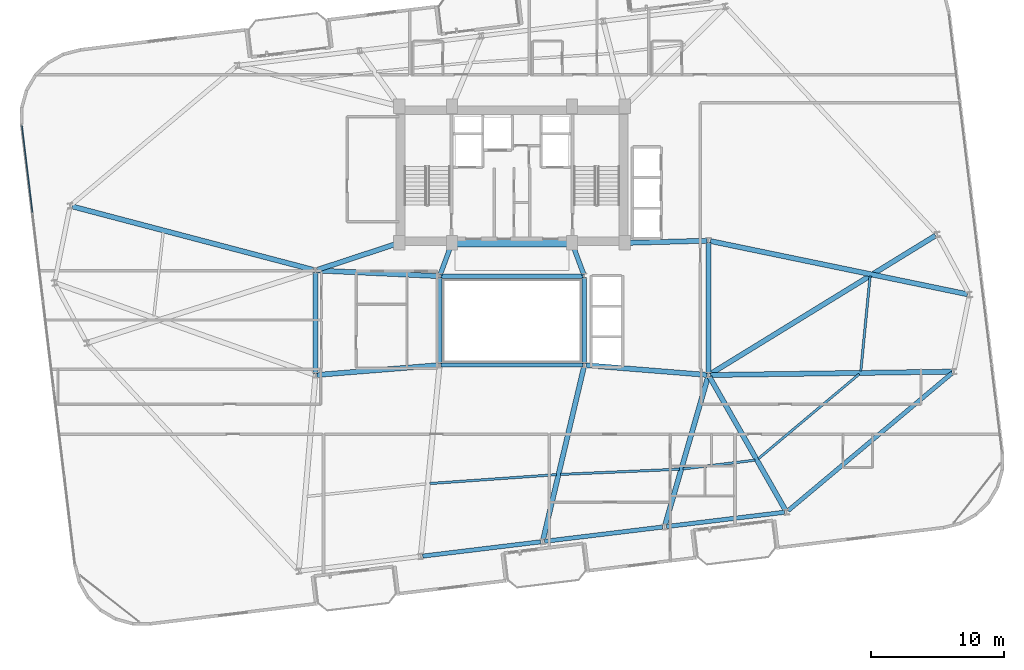
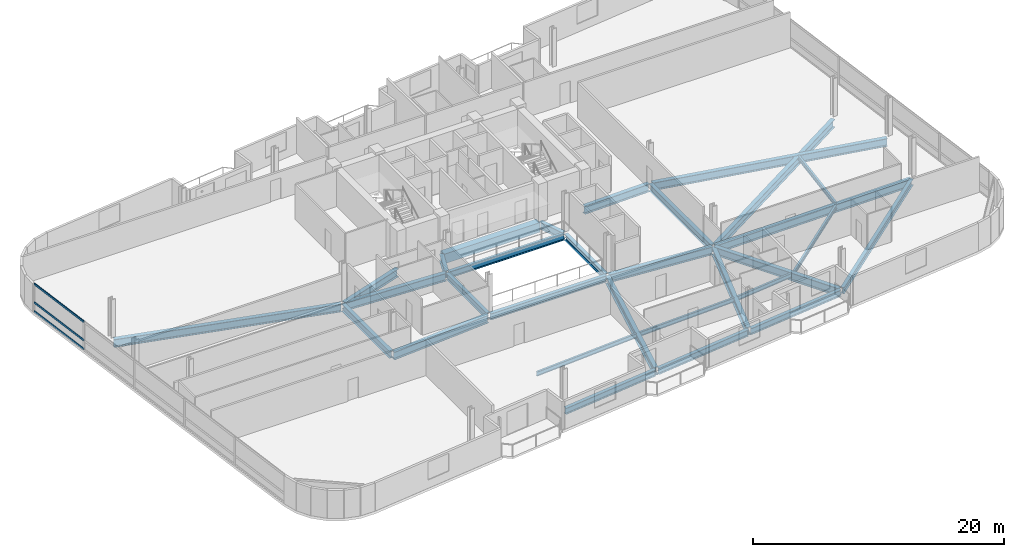
# One storey, part 7 of 23: 30 beams, 3 members, 1 element without a shape of its own.
"""IFC4 building model written with IfcOpenShell, lengths in metres."""

from ifc_helpers import new_model, si_unit, direction, frame, origin, origin_2d, place, context, subcontext, project, spatial, rectangle, hollow_rectangle, i_section, extrude, material, layer, layer_set, material_profile, profile_set, type_object, element, aggregate, save


model = new_model("IFC4")

# Units and contexts
model_context = context("Model", 3, precision=1e-05, world=origin(), true_north=direction((0.0, 1.0)))
body_context = subcontext(model_context, "Body", "Model", "MODEL_VIEW")
ifc_project = project(units=[si_unit("LENGTHUNIT", "METRE"), si_unit("AREAUNIT", "SQUARE_METRE"), si_unit("VOLUMEUNIT", "CUBIC_METRE"), si_unit("PLANEANGLEUNIT", "RADIAN"), si_unit("MASSUNIT", "GRAM", prefix="KILO")], contexts=[model_context])

# Site, building, storey
site_placement = place(None, origin())
site = spatial("IfcSite", under=ifc_project, at=site_placement, CompositionType="ELEMENT")
building_placement = place(site_placement, origin())
building = spatial("IfcBuilding", under=site, at=building_placement, Name="Varnelok Gate Tower", CompositionType="ELEMENT")
storey_placement = place(building_placement, frame((0.0, 0.0, 182.0)))
storey = spatial("IfcBuildingStorey", under=building, at=storey_placement, Name="L46", CompositionType="ELEMENT", Elevation=182.0)

# Beams
ifc_material_1 = material(Name="Structural Steel ASTM A992 Grade 50", Category="steel")
ifc_material_profile_1 = material_profile(ifc_material_1, i_section(OverallWidth=0.180908203125, OverallDepth=0.4169921875, WebThickness=0.010986328125, FlangeThickness=0.018310546875, FilletRadius=0.013916015625, at=origin_2d()), Name="W16X57")
ifc_profile_set_1 = profile_set([ifc_material_profile_1], Name="Structural Steel ASTM A992 Grade 50")
beam_type_1 = type_object("IfcBeamType", Name="BM-JST-W16X57", PredefinedType="JOIST", material=ifc_profile_set_1)
beam_1_placement = place(storey_placement, frame((33.00634765625, 10.62939453125, -0.45849609375), z_axis=(0.997546417642, 0.070008175598, 0.0), x_axis=(-0.070008175598, 0.997546417642, 0.0)))
element("IfcBeam", 1, at=beam_1_placement, inside=storey, type_object=beam_type_1, Name="L46 Sector Floor Joist 2", PredefinedType="JOIST", context=body_context, shape_type="SweptSolid", body=[
    extrude(i_section(OverallWidth=0.180908203125, OverallDepth=0.4169921875, WebThickness=0.010986328125, FlangeThickness=0.018310546875, FilletRadius=0.013916015625, at=origin_2d()), origin(), (0.0, 0.0, 1.0), 9.57958984375),
])
beam_2_placement = place(storey_placement, frame((42.841796875, 11.31591796875, -0.45849609375), z_axis=(0.99904059528, 0.043793709388, 0.0), x_axis=(-0.043793709388, 0.99904059528, 0.0)))
element("IfcBeam", 2, at=beam_2_placement, inside=storey, type_object=beam_type_1, Name="L46 Sector Floor Joist 3", PredefinedType="JOIST", context=body_context, shape_type="SweptSolid", body=[
    extrude(i_section(OverallWidth=0.180908203125, OverallDepth=0.4169921875, WebThickness=0.010986328125, FlangeThickness=0.018310546875, FilletRadius=0.013916015625, at=origin_2d()), origin(), (0.0, 0.0, 1.0), 8.975341796875),
])
beam_3_placement = place(storey_placement, frame((52.08740234375, 11.73193359375, -0.45849609375), z_axis=(0.992737021941, 0.120304635272, 0.0), x_axis=(-0.120304635272, 0.992737021941, 0.0)))
element("IfcBeam", 3, at=beam_3_placement, inside=storey, type_object=beam_type_1, Name="L46 Sector Floor Joist 4", PredefinedType="JOIST", context=body_context, shape_type="SweptSolid", body=[
    extrude(i_section(OverallWidth=0.180908203125, OverallDepth=0.4169921875, WebThickness=0.010986328125, FlangeThickness=0.018310546875, FilletRadius=0.013916015625, at=origin_2d()), origin(), (0.0, 0.0, 1.0), 5.454833984375),
])
beam_4_placement = place(storey_placement, frame((57.7490234375, 12.4951171875, -0.45849609375), z_axis=(0.76608872643, 0.642734831199, 0.0), x_axis=(-0.642734831199, 0.76608872643, 0.0)))
element("IfcBeam", 4, at=beam_4_placement, inside=storey, type_object=beam_type_1, Name="L46 Sector Floor Joist 5", PredefinedType="JOIST", context=body_context, shape_type="SweptSolid", body=[
    extrude(i_section(OverallWidth=0.180908203125, OverallDepth=0.4169921875, WebThickness=0.010986328125, FlangeThickness=0.018310546875, FilletRadius=0.013916015625, at=origin_2d()), origin(), (0.0, 0.0, 1.0), 9.919677734375),
])
beam_5_placement = place(storey_placement, frame((65.469482421875, 19.10009765625, -0.45849609375), z_axis=(0.097641950853, 0.995221608203, 0.0), x_axis=(-0.995221608203, 0.097641950853, 0.0)))
element("IfcBeam", 5, at=beam_5_placement, inside=storey, type_object=beam_type_1, Name="L46 Sector Floor Joist 6", PredefinedType="JOIST", context=body_context, shape_type="SweptSolid", body=[
    extrude(i_section(OverallWidth=0.180908203125, OverallDepth=0.4169921875, WebThickness=0.010986328125, FlangeThickness=0.018310546875, FilletRadius=0.013916015625, at=origin_2d()), origin(), (0.0, 0.0, 1.0), 7.193603515625),
])
ifc_material_2 = material(Name="Concrete C60/75", Category="concrete")
ifc_material_profile_2 = material_profile(ifc_material_2, rectangle(XDim=0.60009765625, YDim=0.949951171875, at=origin_2d()), Name="RC950X600")
ifc_profile_set_2 = profile_set([ifc_material_profile_2], Name="Concrete C60/75")
beam_type_2 = type_object("IfcBeamType", Name="BM-LNT-RC950", PredefinedType="LINTEL", material=ifc_profile_set_2)
beam_6_placement = place(storey_placement, frame((34.800048828125, 28.75, -0.72509765625), z_axis=(1.0, 0.0, 0.0), x_axis=(0.0, 1.0, 0.0)))
element("IfcBeam", 6, at=beam_6_placement, inside=storey, type_object=beam_type_2, Name="L46 Core-Atrium Spine Beam 7", PredefinedType="LINTEL", context=body_context, shape_type="SweptSolid", body=[
    extrude(rectangle(XDim=0.60009765625, YDim=0.949951171875, at=origin_2d()), origin(), (0.0, 0.0, 1.0), 8.800048828125),
])
ifc_material_profile_3 = material_profile(ifc_material_1, i_section(OverallWidth=0.35498046875, OverallDepth=0.696044921875, WebThickness=0.015380859375, FlangeThickness=0.02490234375, FilletRadius=0.02001953125, at=origin_2d()), Name="W27X146")
ifc_profile_set_3 = profile_set([ifc_material_profile_3], Name="Structural Steel ASTM A992 Grade 50")
beam_type_3 = type_object("IfcBeamType", Name="BM-PRI-W27X146", PredefinedType="BEAM", material=ifc_profile_set_3)
for number, where, z_axis, x_axis, name in (
    (7, (33.791748046875, 26.362548828125, -0.597900390625), (0.348719329408, 0.937227202602, 0.0), (-0.937227202602, 0.348719329408, 0.0), "L46 Core-Atrium Spine Beam 12"),
    (8, (44.608154296875, 26.362548828125, -0.597900390625), (-0.348719329408, 0.937227202602, 0.0), (-0.937227202602, -0.348719329408, 0.0), "L46 Core-Atrium Spine Beam 13"),
):
    element("IfcBeam", number, at=place(storey_placement, frame(where, z_axis=z_axis, x_axis=x_axis)), inside=storey, type_object=beam_type_3, Name=name, PredefinedType="BEAM", context=body_context, shape_type="SweptSolid", body=[
        extrude(i_section(OverallWidth=0.35498046875, OverallDepth=0.696044921875, WebThickness=0.015380859375, FlangeThickness=0.02490234375, FilletRadius=0.02001953125, at=origin_2d()), origin(), (0.0, 0.0, 1.0), 2.42724609375),
    ])
beam_7_placement = place(storey_placement, frame((24.39990234375, 18.919921875, -0.597900390625), z_axis=(0.0, 1.0, 0.0), x_axis=(-1.0, 0.0, 0.0)))
element("IfcBeam", 9, at=beam_7_placement, inside=storey, type_object=beam_type_3, Name="L46 Core-Atrium Spine Beam 16", PredefinedType="BEAM", context=body_context, shape_type="SweptSolid", body=[
    extrude(i_section(OverallWidth=0.35498046875, OverallDepth=0.696044921875, WebThickness=0.015380859375, FlangeThickness=0.02490234375, FilletRadius=0.02001953125, at=origin_2d()), origin(), (0.0, 0.0, 1.0), 7.64013671875),
])
beam_8_placement = place(storey_placement, frame((54.0, 18.919921875, -0.597900390625), z_axis=(0.0, 1.0, 0.0), x_axis=(-1.0, 0.0, 0.0)))
element("IfcBeam", 10, at=beam_8_placement, inside=storey, type_object=beam_type_3, Name="L46 Core-Atrium Spine Beam 20", PredefinedType="BEAM", context=body_context, shape_type="SweptSolid", body=[
    extrude(i_section(OverallWidth=0.35498046875, OverallDepth=0.696044921875, WebThickness=0.015380859375, FlangeThickness=0.02490234375, FilletRadius=0.02001953125, at=origin_2d()), origin(), (0.0, 0.0, 1.0), 9.880126953125),
])
ifc_material_profile_4 = material_profile(ifc_material_1, i_section(OverallWidth=0.381103515625, OverallDepth=0.77294921875, WebThickness=0.0166015625, FlangeThickness=0.027099609375, FilletRadius=0.02197265625, at=origin_2d()), Name="W30X173")
ifc_profile_set_4 = profile_set([ifc_material_profile_4], Name="Structural Steel ASTM A992 Grade 50")
beam_type_4 = type_object("IfcBeamType", Name="BM-PRI-W30X173", PredefinedType="BEAM", material=ifc_profile_set_4)
beam_9_placement = place(storey_placement, frame((24.51953125, 18.8095703125, -0.636474609375), z_axis=(0.996799206292, 0.07994587128, 0.0), x_axis=(-0.07994587128, 0.996799206292, 0.0)))
element("IfcBeam", 11, at=beam_9_placement, inside=storey, type_object=beam_type_4, Name="L46 Core-Atrium Spine Beam 14", PredefinedType="BEAM", context=body_context, shape_type="SweptSolid", body=[
    extrude(i_section(OverallWidth=0.381103515625, OverallDepth=0.77294921875, WebThickness=0.0166015625, FlangeThickness=0.027099609375, FilletRadius=0.02197265625, at=origin_2d()), origin(), (0.0, 0.0, 1.0), 9.14013671875),
])
beam_10_placement = place(storey_placement, frame((24.52001953125, 26.674560546875, -0.636474609375), z_axis=(0.99894427814, -0.045938319209, 0.0), x_axis=(0.045938319209, 0.99894427814, 0.0)))
element("IfcBeam", 12, at=beam_10_placement, inside=storey, type_object=beam_type_4, Name="L46 Core-Atrium Spine Beam 15", PredefinedType="BEAM", context=body_context, shape_type="SweptSolid", body=[
    extrude(i_section(OverallWidth=0.381103515625, OverallDepth=0.77294921875, WebThickness=0.0166015625, FlangeThickness=0.027099609375, FilletRadius=0.02197265625, at=origin_2d()), origin(), (0.0, 0.0, 1.0), 9.11962890625),
])
beam_11_placement = place(storey_placement, frame((24.513916015625, 26.717529296875, -0.636474609375), z_axis=(0.950041943788, 0.312122259768, 0.0), x_axis=(-0.312122259768, 0.950041943788, 0.0)))
element("IfcBeam", 13, at=beam_11_placement, inside=storey, type_object=beam_type_4, Name="L46 Core-Atrium Spine Beam 17", PredefinedType="BEAM", context=body_context, shape_type="SweptSolid", body=[
    extrude(i_section(OverallWidth=0.381103515625, OverallDepth=0.77294921875, WebThickness=0.0166015625, FlangeThickness=0.027099609375, FilletRadius=0.02197265625, at=origin_2d()), origin(), (0.0, 0.0, 1.0), 6.391357421875),
])
beam_12_placement = place(storey_placement, frame((44.76953125, 19.540283203125, -0.636474609375), z_axis=(0.996799206292, -0.07994587128, 0.0), x_axis=(0.07994587128, 0.996799206292, 0.0)))
element("IfcBeam", 14, at=beam_12_placement, inside=storey, type_object=beam_type_4, Name="L46 Core-Atrium Spine Beam 18", PredefinedType="BEAM", context=body_context, shape_type="SweptSolid", body=[
    extrude(i_section(OverallWidth=0.381103515625, OverallDepth=0.77294921875, WebThickness=0.0166015625, FlangeThickness=0.027099609375, FilletRadius=0.02197265625, at=origin_2d()), origin(), (0.0, 0.0, 1.0), 9.14013671875),
])
beam_13_placement = place(storey_placement, frame((47.820068359375, 28.753173828125, -0.636474609375), z_axis=(0.999635880609, 0.026983443053, 0.0), x_axis=(-0.026983443053, 0.999635880609, 0.0)))
element("IfcBeam", 15, at=beam_13_placement, inside=storey, type_object=beam_type_4, Name="L46 Core-Atrium Spine Beam 19", PredefinedType="BEAM", context=body_context, shape_type="SweptSolid", body=[
    extrude(i_section(OverallWidth=0.381103515625, OverallDepth=0.77294921875, WebThickness=0.0166015625, FlangeThickness=0.027099609375, FilletRadius=0.02197265625, at=origin_2d()), origin(), (0.0, 0.0, 1.0), 6.06201171875),
])
beam_14_placement = place(storey_placement, frame((44.615478515625, 19.404052734375, -0.636474609375), z_axis=(-0.230051892852, -0.973178363197, 0.0), x_axis=(0.973178363197, -0.230051892852, 0.0)))
element("IfcBeam", 16, at=beam_14_placement, inside=storey, type_object=beam_type_4, Name="L46 Radial Floor Girder 3", PredefinedType="BEAM", context=body_context, shape_type="SweptSolid", body=[
    extrude(i_section(OverallWidth=0.381103515625, OverallDepth=0.77294921875, WebThickness=0.0166015625, FlangeThickness=0.027099609375, FilletRadius=0.02197265625, at=origin_2d()), origin(), (0.0, 0.0, 1.0), 13.356689453125),
])
beam_15_placement = place(storey_placement, frame((53.958251953125, 18.656005859375, -0.636474609375), z_axis=(-0.278139351158, -0.960540733825, 0.0), x_axis=(0.960540733825, -0.278139351158, 0.0)))
element("IfcBeam", 17, at=beam_15_placement, inside=storey, type_object=beam_type_4, Name="L46 Radial Floor Girder 4", PredefinedType="BEAM", context=body_context, shape_type="SweptSolid", body=[
    extrude(i_section(OverallWidth=0.381103515625, OverallDepth=0.77294921875, WebThickness=0.0166015625, FlangeThickness=0.027099609375, FilletRadius=0.02197265625, at=origin_2d()), origin(), (0.0, 0.0, 1.0), 11.596923828125),
])
beam_16_placement = place(storey_placement, frame((54.07421875, 18.669677734375, -0.636474609375), z_axis=(0.494868053933, -0.868968128988, 0.0), x_axis=(0.868968128988, 0.494868053933, 0.0)))
element("IfcBeam", 18, at=beam_16_placement, inside=storey, type_object=beam_type_4, Name="L46 Radial Floor Girder 5", PredefinedType="BEAM", context=body_context, shape_type="SweptSolid", body=[
    extrude(i_section(OverallWidth=0.381103515625, OverallDepth=0.77294921875, WebThickness=0.0166015625, FlangeThickness=0.027099609375, FilletRadius=0.02197265625, at=origin_2d()), origin(), (0.0, 0.0, 1.0), 11.5693359375),
])
beam_17_placement = place(storey_placement, frame((54.14990234375, 18.802001953125, -0.636474609375), z_axis=(0.999901514109, 0.014034318056, 0.0), x_axis=(-0.014034318056, 0.999901514109, 0.0)))
element("IfcBeam", 19, at=beam_17_placement, inside=storey, type_object=beam_type_4, Name="L46 Radial Floor Girder 6", PredefinedType="BEAM", context=body_context, shape_type="SweptSolid", body=[
    extrude(i_section(OverallWidth=0.381103515625, OverallDepth=0.77294921875, WebThickness=0.0166015625, FlangeThickness=0.027099609375, FilletRadius=0.02197265625, at=origin_2d()), origin(), (0.0, 0.0, 1.0), 18.1787109375),
])
beam_18_placement = place(storey_placement, frame((54.14697265625, 28.8896484375, -0.636474609375), z_axis=(0.979255265667, -0.202630512665, 0.0), x_axis=(0.202630512665, 0.979255265667, 0.0)))
element("IfcBeam", 20, at=beam_18_placement, inside=storey, type_object=beam_type_4, Name="L46 Radial Floor Girder 7", PredefinedType="BEAM", context=body_context, shape_type="SweptSolid", body=[
    extrude(i_section(OverallWidth=0.381103515625, OverallDepth=0.77294921875, WebThickness=0.0166015625, FlangeThickness=0.027099609375, FilletRadius=0.02197265625, at=origin_2d()), origin(), (0.0, 0.0, 1.0), 19.7705078125),
])
beam_19_placement = place(storey_placement, frame((54.127685546875, 18.87841796875, -0.636474609375), z_axis=(0.852014595228, 0.523518031703, 0.0), x_axis=(-0.523518031703, 0.852014595228, 0.0)))
element("IfcBeam", 21, at=beam_19_placement, inside=storey, type_object=beam_type_4, Name="L46 Radial Floor Girder 8", PredefinedType="BEAM", context=body_context, shape_type="SweptSolid", body=[
    extrude(i_section(OverallWidth=0.381103515625, OverallDepth=0.77294921875, WebThickness=0.0166015625, FlangeThickness=0.027099609375, FilletRadius=0.02197265625, at=origin_2d()), origin(), (0.0, 0.0, 1.0), 19.917236328125),
])
beam_20_placement = place(storey_placement, frame((24.2548828125, 26.71826171875, -0.636474609375), z_axis=(-0.967098244451, 0.254403194908, 0.0), x_axis=(-0.254403194908, -0.967098244451, 0.0)))
element("IfcBeam", 22, at=beam_20_placement, inside=storey, type_object=beam_type_4, Name="L46 Radial Floor Girder 14", PredefinedType="BEAM", context=body_context, shape_type="SweptSolid", body=[
    extrude(i_section(OverallWidth=0.381103515625, OverallDepth=0.77294921875, WebThickness=0.0166015625, FlangeThickness=0.027099609375, FilletRadius=0.02197265625, at=origin_2d()), origin(), (0.0, 0.0, 1.0), 18.805419921875),
])
ifc_material_profile_5 = material_profile(ifc_material_1, i_section(OverallWidth=0.323974609375, OverallDepth=0.611083984375, WebThickness=0.0126953125, FlangeThickness=0.01904296875, FilletRadius=0.01806640625, at=origin_2d()), Name="W24X104")
ifc_profile_set_5 = profile_set([ifc_material_profile_5], Name="Structural Steel ASTM A992 Grade 50")
beam_type_5 = type_object("IfcBeamType", Name="BM-SPN-W24X104", PredefinedType="SPANDREL", material=ifc_profile_set_5)
for number, where, z_axis, x_axis, name in (
    (23, (33.8701171875, 19.550048828125, -0.555419921875), (1.0, 0.0, 0.0), (0.0, 1.0, 0.0), "L46 Core-Atrium Spine Beam 8"),
    (24, (33.8701171875, 26.25, -0.555419921875), (1.0, 0.0, 0.0), (0.0, 1.0, 0.0), "L46 Core-Atrium Spine Beam 9"),
):
    element("IfcBeam", number, at=place(storey_placement, frame(where, z_axis=z_axis, x_axis=x_axis)), inside=storey, type_object=beam_type_5, Name=name, PredefinedType="SPANDREL", context=body_context, shape_type="SweptSolid", body=[
        extrude(i_section(OverallWidth=0.323974609375, OverallDepth=0.611083984375, WebThickness=0.0126953125, FlangeThickness=0.01904296875, FilletRadius=0.01806640625, at=origin_2d()), origin(), (0.0, 0.0, 1.0), 10.659912109375),
    ])
for number, where, z_axis, x_axis, name in (
    (25, (33.75, 19.669921875, -0.555419921875), (0.0, 1.0, 0.0), (-1.0, 0.0, 0.0), "L46 Core-Atrium Spine Beam 10"),
    (26, (44.64990234375, 19.669921875, -0.555419921875), (0.0, 1.0, 0.0), (-1.0, 0.0, 0.0), "L46 Core-Atrium Spine Beam 11"),
):
    element("IfcBeam", number, at=place(storey_placement, frame(where, z_axis=z_axis, x_axis=x_axis)), inside=storey, type_object=beam_type_5, Name=name, PredefinedType="SPANDREL", context=body_context, shape_type="SweptSolid", body=[
        extrude(i_section(OverallWidth=0.323974609375, OverallDepth=0.611083984375, WebThickness=0.0126953125, FlangeThickness=0.01904296875, FilletRadius=0.01806640625, at=origin_2d()), origin(), (0.0, 0.0, 1.0), 6.4599609375),
    ])
for number, where, z_axis, x_axis, name in (
    (27, (32.474365234375, 5.164306640625, -0.555419921875), (0.992734670707, 0.120324035735, 0.0), (-0.120324035735, 0.992734670707, 0.0), "L46 Perimeter Spandrel Beam 2"),
    (28, (41.656982421875, 6.277587890625, -0.555419921875), (0.992734670707, 0.120324035735, 0.0), (-0.120324035735, 0.992734670707, 0.0), "L46 Perimeter Spandrel Beam 3"),
    (29, (50.83984375, 7.390625, -0.555419921875), (0.99273141198, 0.120350918849, 0.0), (-0.120350918849, 0.99273141198, 0.0), "L46 Perimeter Spandrel Beam 4"),
):
    element("IfcBeam", number, at=place(storey_placement, frame(where, z_axis=z_axis, x_axis=x_axis)), inside=storey, type_object=beam_type_5, Name=name, PredefinedType="SPANDREL", context=body_context, shape_type="SweptSolid", body=[
        extrude(i_section(OverallWidth=0.323974609375, OverallDepth=0.611083984375, WebThickness=0.0126953125, FlangeThickness=0.01904296875, FilletRadius=0.01806640625, at=origin_2d()), origin(), (0.0, 0.0, 1.0), 8.949951171875),
    ])
beam_21_placement = place(storey_placement, frame((59.98876953125, 8.582275390625, -0.555419921875), z_axis=(0.766099582792, 0.642721891059, 0.0), x_axis=(-0.642721891059, 0.766099582792, 0.0)))
element("IfcBeam", 30, at=beam_21_placement, inside=storey, type_object=beam_type_5, Name="L46 Perimeter Spandrel Beam 5", PredefinedType="SPANDREL", context=body_context, shape_type="SweptSolid", body=[
    extrude(i_section(OverallWidth=0.323974609375, OverallDepth=0.611083984375, WebThickness=0.0126953125, FlangeThickness=0.01904296875, FilletRadius=0.01806640625, at=origin_2d()), origin(), (0.0, 0.0, 1.0), 16.151123046875),
])

# Curtain wall, members
ifc_material_3 = material(Name="Anodized Aluminum Alloy 6063-T6", Category="aluminium")
ifc_layer = layer(ifc_material_3, 0.179931640625)
ifc_layer_set = layer_set([ifc_layer], Name="Anodized Aluminum Alloy 6063-T6")
curtain_wall_type = type_object("IfcCurtainWallType", Name="CW4-RESIDENCE-VISION", PredefinedType="USERDEFINED", material=ifc_layer_set)
curtain_wall_placement = place(storey_placement, origin())
curtain_wall = element("IfcCurtainWall", 31, at=curtain_wall_placement, inside=storey, type_object=curtain_wall_type, Name="L46 West End Vision Curtain Wall", ObjectType="UNITISED CURTAIN WALL", PredefinedType="USERDEFINED")
ifc_material_profile_6 = material_profile(ifc_material_3, hollow_rectangle(XDim=0.074951171875, YDim=0.199951171875, WallThickness=0.00390625, at=origin_2d()), Name="ALU200X75X4")
ifc_profile_set_6 = profile_set([ifc_material_profile_6], Name="Anodized Aluminum Alloy 6063-T6")
member_type = type_object("IfcMemberType", Name="CW-TRAN-200", PredefinedType="USERDEFINED", material=ifc_profile_set_6)
member_1_placement = place(storey_placement, frame((3.085205078125, 31.052978515625, 0.03759765625), z_axis=(-0.120332477695, 0.992733647466, 0.0), x_axis=(-0.992733647466, -0.120332477695, 0.0)))
member_1 = element("IfcMember", 32, at=member_1_placement, type_object=member_type, Name="CW4 transom 5.1", ObjectType="TRANSOM", PredefinedType="USERDEFINED", context=body_context, shape_type="SweptSolid", body=[
    extrude(hollow_rectangle(XDim=0.074951171875, YDim=0.199951171875, WallThickness=0.00390625, at=origin_2d()), origin(), (0.0, 0.0, 1.0), 6.5673828125),
])
member_2_placement = place(storey_placement, frame((3.085205078125, 31.052978515625, 0.89990234375), z_axis=(-0.120332477695, 0.992733647466, 0.0), x_axis=(-0.992733647466, -0.120332477695, 0.0)))
member_2 = element("IfcMember", 33, at=member_2_placement, type_object=member_type, Name="CW4 transom 5.2", ObjectType="TRANSOM", PredefinedType="USERDEFINED", context=body_context, shape_type="SweptSolid", body=[
    extrude(hollow_rectangle(XDim=0.074951171875, YDim=0.199951171875, WallThickness=0.00390625, at=origin_2d()), origin(), (0.0, 0.0, 1.0), 6.5673828125),
])
member_3_placement = place(storey_placement, frame((3.085205078125, 31.052978515625, 2.6923828125), z_axis=(-0.120332477695, 0.992733647466, 0.0), x_axis=(-0.992733647466, -0.120332477695, 0.0)))
member_3 = element("IfcMember", 34, at=member_3_placement, type_object=member_type, Name="CW4 transom 5.3", ObjectType="TRANSOM", PredefinedType="USERDEFINED", context=body_context, shape_type="SweptSolid", body=[
    extrude(hollow_rectangle(XDim=0.074951171875, YDim=0.199951171875, WallThickness=0.00390625, at=origin_2d()), origin(), (0.0, 0.0, 1.0), 6.5673828125),
])
aggregate(curtain_wall, [member_1, member_2, member_3])

save(model, "model.ifc")
